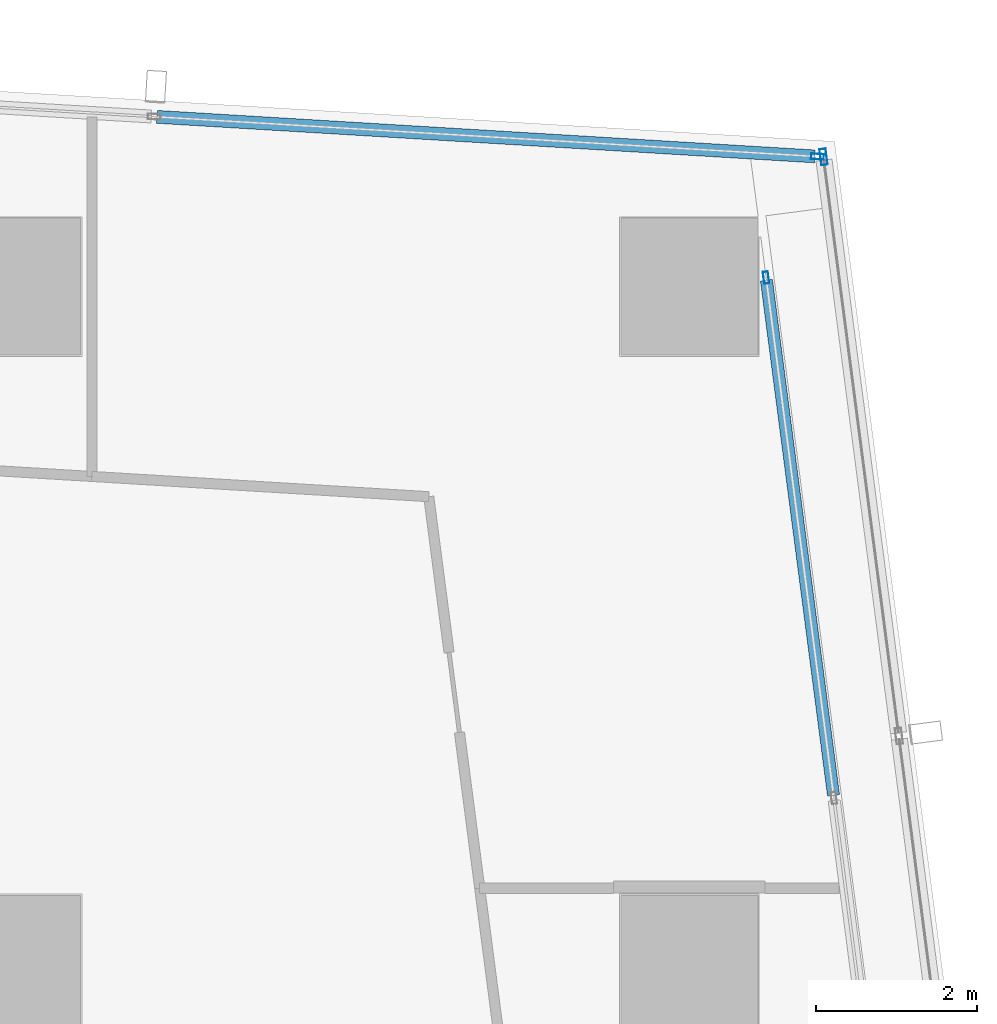
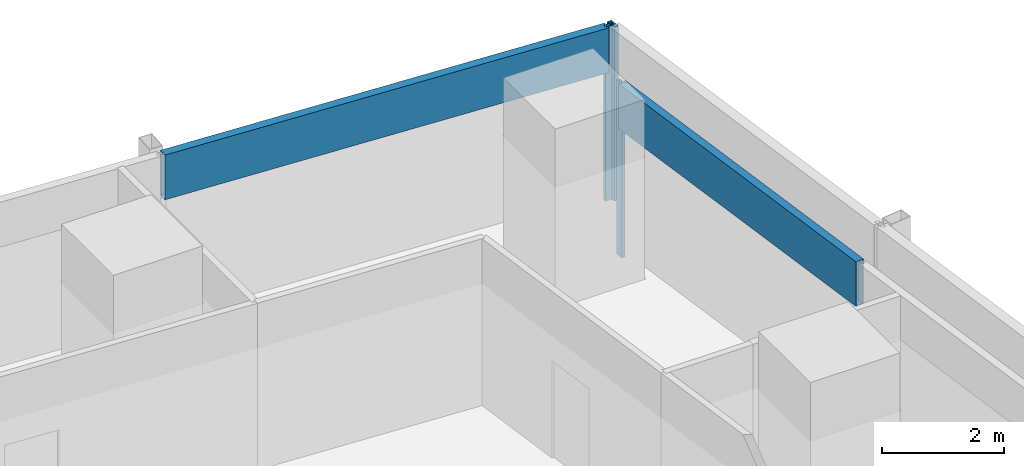
# One storey, part 20 of 40: 5 members, 3 elements without a shape of their own.
"""IFC4 building model written with IfcOpenShell, lengths in metres."""

from ifc_helpers import new_model, si_unit, direction, frame, origin, origin_2d, place, context, subcontext, project, spatial, hollow_rectangle, extrude, material, material_profile, profile_set, type_object, element, aggregate, save


model = new_model("IFC4")

# Units and contexts
model_context = context("Model", 3, precision=1e-05, world=origin(), true_north=direction((0.0, 1.0)))
body_context = subcontext(model_context, "Body", "Model", "MODEL_VIEW")
ifc_project = project(units=[si_unit("LENGTHUNIT", "METRE"), si_unit("AREAUNIT", "SQUARE_METRE"), si_unit("VOLUMEUNIT", "CUBIC_METRE"), si_unit("PLANEANGLEUNIT", "RADIAN"), si_unit("MASSUNIT", "GRAM", prefix="KILO")], contexts=[model_context])

# Site, building, storey
site_placement = place(None, origin())
site = spatial("IfcSite", under=ifc_project, at=site_placement, CompositionType="ELEMENT")
building_placement = place(site_placement, origin())
building = spatial("IfcBuilding", under=site, at=building_placement, Name="Rekha Terrace Tower", CompositionType="ELEMENT")
storey_placement = place(building_placement, frame((0.0, 0.0, 110.300048828125)))
storey = spatial("IfcBuildingStorey", under=building, at=storey_placement, Name="L27", CompositionType="ELEMENT", Elevation=110.300048828125)

# Curtain wall, members
ifc_material_1 = material(Name="Aluminium framing", Category="aluminium")
curtain_wall_type_1 = type_object("IfcCurtainWallType", Name="CW1 double skin inner glazing", PredefinedType="USERDEFINED", material=ifc_material_1)
curtain_wall_1_placement = place(storey_placement, origin())
curtain_wall_1 = element("IfcCurtainWall", 1, at=curtain_wall_1_placement, inside=storey, type_object=curtain_wall_type_1, Name="CW1 double skin inner glazing", ObjectType="DOUBLE SKIN INNER GLAZING", PredefinedType="USERDEFINED")
ifc_material_2 = material(Name="Aluminium mullion section", Category="aluminium")
ifc_material_profile_1 = material_profile(ifc_material_2, hollow_rectangle(XDim=0.06494140625, YDim=0.14990234375, WallThickness=0.00390625, at=origin_2d()), Name="AL RHS 65x150")
ifc_profile_set_1 = profile_set([ifc_material_profile_1], Name="Aluminium mullion section")
member_type_1 = type_object("IfcMemberType", Name="CW1 mullion RHS 65 x 150", PredefinedType="MULLION", material=ifc_profile_set_1)
member_1_placement = place(storey_placement, frame((68.15087890625, 58.910888671875, 0.0), z_axis=(0.0, 0.0, 1.0), x_axis=(-0.991629186237, -0.129118383675, 0.0)))
member_1 = element("IfcMember", 2, at=member_1_placement, type_object=member_type_1, Name="CW1 mullion 3", PredefinedType="MULLION", context=body_context, shape_type="SweptSolid", body=[
    extrude(hollow_rectangle(XDim=0.06494140625, YDim=0.14990234375, WallThickness=0.00390625, at=origin_2d()), origin(), (0.0, 0.0, 1.0), 3.5),
])
ifc_material_3 = material(Name="Insulated aluminium spandrel box", Category="aluminium")
ifc_material_profile_2 = material_profile(ifc_material_3, hollow_rectangle(XDim=0.14990234375, YDim=0.89990234375, WallThickness=0.0029296875, at=origin_2d()), Name="AL SPANDREL BOX 150x900")
ifc_profile_set_2 = profile_set([ifc_material_profile_2], Name="Insulated aluminium spandrel box")
member_type_2 = type_object("IfcMemberType", Name="CW1 spandrel transom 150 x 900", PredefinedType="USERDEFINED", material=ifc_profile_set_2)
member_2_placement = place(storey_placement, frame((68.987060546875, 52.48974609375, 3.050048828125), z_axis=(-0.129102663866, 0.991631232961, 0.0), x_axis=(-0.991631232961, -0.129102663866, 0.0)))
member_2 = element("IfcMember", 3, at=member_2_placement, type_object=member_type_2, Name="CW1 spandrel transom 2", ObjectType="TRANSOM", PredefinedType="USERDEFINED", context=body_context, shape_type="SweptSolid", body=[
    extrude(hollow_rectangle(XDim=0.14990234375, YDim=0.89990234375, WallThickness=0.0029296875, at=origin_2d()), origin(), (0.0, 0.0, 1.0), 6.44287109375),
])
aggregate(curtain_wall_1, [member_1, member_2])

# Curtain wall, member
curtain_wall_type_2 = type_object("IfcCurtainWallType", Name="CW2 double skin outer glazing", PredefinedType="USERDEFINED", material=ifc_material_1)
curtain_wall_2_placement = place(storey_placement, origin())
curtain_wall_2 = element("IfcCurtainWall", 4, at=curtain_wall_2_placement, inside=storey, type_object=curtain_wall_type_2, Name="CW2 double skin outer glazing", ObjectType="DOUBLE SKIN OUTER GLAZING", PredefinedType="USERDEFINED")
ifc_material_profile_3 = material_profile(ifc_material_2, hollow_rectangle(XDim=0.080078125, YDim=0.199951171875, WallThickness=0.00390625, at=origin_2d()), Name="AL RHS 80x200")
ifc_profile_set_3 = profile_set([ifc_material_profile_3], Name="Aluminium mullion section")
member_type_3 = type_object("IfcMemberType", Name="CW2 mullion RHS 80 x 200", PredefinedType="MULLION", material=ifc_profile_set_3)
member_3_placement = place(storey_placement, frame((68.863525390625, 60.408447265625, 0.0), z_axis=(0.0, 0.0, 1.0), x_axis=(-0.991629186244, -0.129118383623, 0.0)))
member_3 = element("IfcMember", 5, at=member_3_placement, type_object=member_type_3, Name="CW2 mullion 3", PredefinedType="MULLION", context=body_context, shape_type="SweptSolid", body=[
    extrude(hollow_rectangle(XDim=0.080078125, YDim=0.199951171875, WallThickness=0.00390625, at=origin_2d()), origin(), (0.0, 0.0, 1.0), 3.5),
])
aggregate(curtain_wall_2, [member_3])

# Curtain wall, members
curtain_wall_type_3 = type_object("IfcCurtainWallType", Name="CW3 north unitised glazing", PredefinedType="USERDEFINED", material=ifc_material_1)
curtain_wall_3_placement = place(storey_placement, origin())
curtain_wall_3 = element("IfcCurtainWall", 6, at=curtain_wall_3_placement, inside=storey, type_object=curtain_wall_type_3, Name="CW3 unitised curtain wall", ObjectType="UNITISED CURTAIN WALL", PredefinedType="USERDEFINED")
ifc_material_profile_4 = material_profile(ifc_material_2, hollow_rectangle(XDim=0.070068359375, YDim=0.159912109375, WallThickness=0.00390625, at=origin_2d()), Name="AL RHS 70x160")
ifc_profile_set_4 = profile_set([ifc_material_profile_4], Name="Aluminium mullion section")
member_type_4 = type_object("IfcMemberType", Name="CW3 mullion RHS 70 x 160", PredefinedType="MULLION", material=ifc_profile_set_4)
member_4_placement = place(storey_placement, frame((68.7880859375, 60.412353515625, 0.0), z_axis=(0.0, 0.0, 1.0), x_axis=(-0.059987926837, -0.998199102701, 0.0)))
member_4 = element("IfcMember", 7, at=member_4_placement, type_object=member_type_4, Name="CW3 mullion 1", PredefinedType="MULLION", context=body_context, shape_type="SweptSolid", body=[
    extrude(hollow_rectangle(XDim=0.070068359375, YDim=0.159912109375, WallThickness=0.00390625, at=origin_2d()), origin(), (0.0, 0.0, 1.0), 3.5),
])
ifc_material_profile_5 = material_profile(ifc_material_3, hollow_rectangle(XDim=0.159912109375, YDim=0.89990234375, WallThickness=0.0029296875, at=origin_2d()), Name="AL SPANDREL BOX 160x900")
ifc_profile_set_5 = profile_set([ifc_material_profile_5], Name="Insulated aluminium spandrel box")
member_type_5 = type_object("IfcMemberType", Name="CW3 spandrel transom 160 x 900", PredefinedType="USERDEFINED", material=ifc_profile_set_5)
member_5_placement = place(storey_placement, frame((68.753173828125, 60.41455078125, 3.050048828125), z_axis=(-0.998198874769, 0.05999171951, 0.0), x_axis=(-0.05999171951, -0.998198874769, 0.0)))
member_5 = element("IfcMember", 8, at=member_5_placement, type_object=member_type_5, Name="CW3 spandrel transom 1", ObjectType="TRANSOM", PredefinedType="USERDEFINED", context=body_context, shape_type="SweptSolid", body=[
    extrude(hollow_rectangle(XDim=0.159912109375, YDim=0.89990234375, WallThickness=0.0029296875, at=origin_2d()), origin(), (0.0, 0.0, 1.0), 8.171630859375),
])
aggregate(curtain_wall_3, [member_4, member_5])

save(model, "model.ifc")
